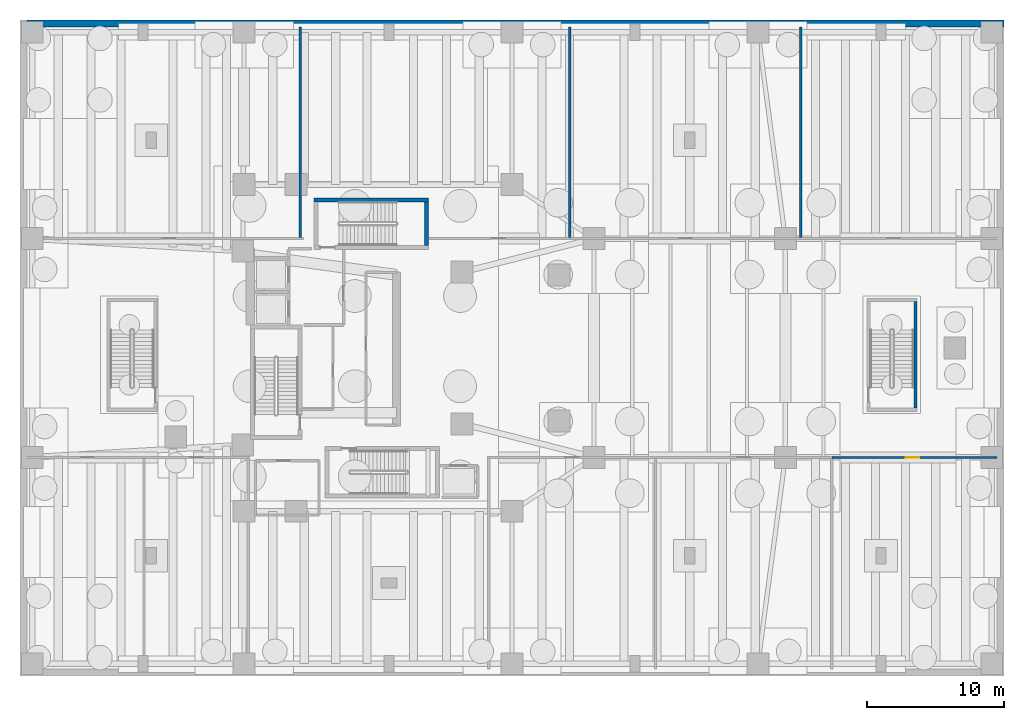
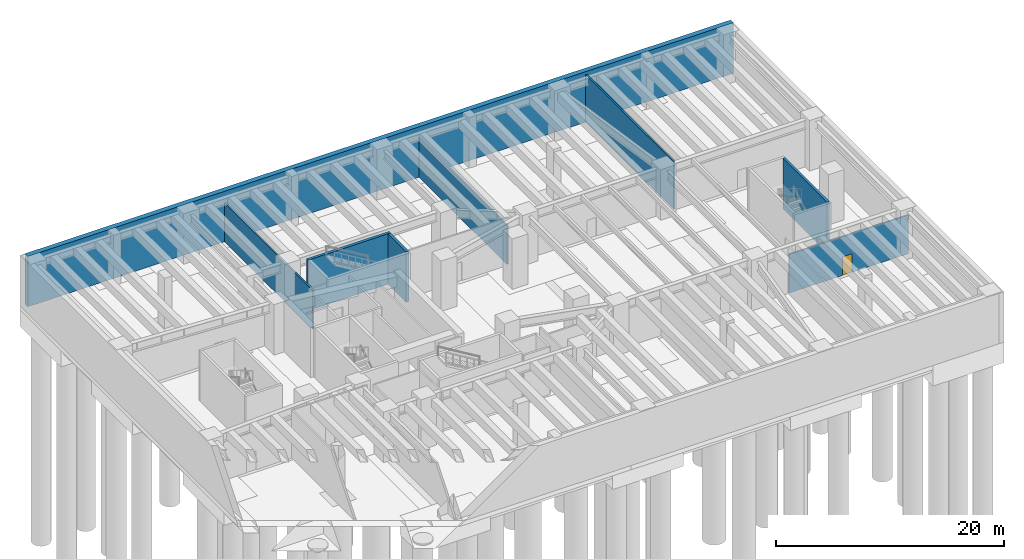
# One storey, part 6 of 10: 8 walls, 1 door, 1 opening.
"""IFC4 building model written with IfcOpenShell, lengths in metres."""

from ifc_helpers import new_model, si_unit, direction, frame, frame_2d, origin, place, context, subcontext, project, spatial, rectangle, extrude, material, layer, layer_set, type_object, element, fill, save


model = new_model("IFC4")

# Units and contexts
model_context = context("Model", 3, precision=1e-05, world=origin(), true_north=direction((0.0, 1.0)))
body_context = subcontext(model_context, "Body", "Model", "MODEL_VIEW")
ifc_project = project(units=[si_unit("LENGTHUNIT", "METRE"), si_unit("AREAUNIT", "SQUARE_METRE"), si_unit("VOLUMEUNIT", "CUBIC_METRE"), si_unit("PLANEANGLEUNIT", "RADIAN"), si_unit("MASSUNIT", "GRAM", prefix="KILO"), si_unit("THERMODYNAMICTEMPERATUREUNIT", "KELVIN"), si_unit("POWERUNIT", "WATT")], contexts=[model_context])

# Site, building, storey
site_placement = place(None, origin())
site = spatial("IfcSite", under=ifc_project, at=site_placement, CompositionType="ELEMENT")
building_placement = place(site_placement, origin())
building = spatial("IfcBuilding", under=site, at=building_placement, Name="Skarre Station Tower", CompositionType="ELEMENT")
storey_placement = place(building_placement, frame((0.0, 0.0, -10.199951171875)))
storey = spatial("IfcBuildingStorey", under=building, at=storey_placement, Name="B02", CompositionType="ELEMENT", Elevation=-10.199951171875)

# Wall
ifc_material_1 = material(Name="Concrete C50/60", Category="concrete")
ifc_layer_1 = layer(ifc_material_1, 0.5, Name="Concrete C50/60")
ifc_layer_set_1 = layer_set([ifc_layer_1], Name="Concrete C50/60")
wall_type_1 = type_object("IfcWallType", Name="Basement Perimeter Retaining Wall 500", PredefinedType="USERDEFINED", material=ifc_layer_set_1)
wall_1_placement = place(storey_placement, frame((0.5, 47.75, 0.0), z_axis=(0.0, 0.0, 1.0), x_axis=(1.0, 0.0, 0.0)))
element("IfcWall", 1, at=wall_1_placement, inside=storey, type_object=wall_type_1, Name="B02 Perimeter Retaining Wall N", ObjectType="RETAININGWALL", PredefinedType="USERDEFINED", context=body_context, shape_type="SweptSolid", body=[
    extrude(rectangle(XDim=71.5, YDim=0.5, at=frame_2d((35.75, 0.0))), origin(), (0.0, 0.0, 1.0), 5.39990234375),
])

# Wall, opening, door
ifc_material_2 = material(Name="Acoustic Steel-Stud Gypsum Partition", Category="steel")
ifc_layer_2 = layer(ifc_material_2, 0.14990234375, Name="Acoustic Steel-Stud Gypsum Partition")
ifc_layer_set_2 = layer_set([ifc_layer_2], Name="Acoustic Steel-Stud Gypsum Partition")
wall_type_2 = type_object("IfcWallType", Name="Fire-Rated Corridor Acoustic Partition 150", PredefinedType="PARTITIONING", material=ifc_layer_set_2)
wall_2_placement = place(storey_placement, frame((59.41796875, 15.97998046875, 0.0), z_axis=(0.0, 0.0, 1.0), x_axis=(1.0, 0.0, 0.0)))
wall_2 = element("IfcWall", 2, at=wall_2_placement, inside=storey, type_object=wall_type_2, Name="B02 Interior Partition WL-PT-B02-PDSE3-CW", PredefinedType="PARTITIONING", context=body_context, shape_type="SweptSolid", body=[
    extrude(rectangle(XDim=12.0869140625, YDim=0.14990234375, at=frame_2d((6.04345703125, 0.0))), origin(), (0.0, 0.0, 1.0), 4.141845703125),
])
opening_placement = place(wall_2_placement, frame((5.410888671875, 0.0, 0.0)))
opening = element("IfcOpeningElement", 3, at=opening_placement, cuts=wall_2, Name="Opening DR-FD60", PredefinedType="OPENING", context=body_context, shape_type="SweptSolid", body=[
    extrude(rectangle(XDim=0.9599609375, YDim=2.0, at=frame_2d((0.47998046875, 1.0))), frame((0.0, 0.0849609375, 0.0), z_axis=(0.0, -1.0, 0.0), x_axis=(1.0, 0.0, 0.0)), (0.0, 0.0, 1.0), 0.169921875),
])
ifc_material_3 = material(Name="Nordic White-Oak Veneer Solid-Core Fire Leaf", Category="wood")
door_type = type_object("IfcDoorType", Name="Corridor Suite Entry Fire Door FD60 960x2150", OperationType="SINGLE_SWING_LEFT", PredefinedType="DOOR", material=ifc_material_3)
door_placement = place(opening_placement, origin())
door = element("IfcDoor", 4, at=door_placement, inside=storey, type_object=door_type, Name="B02 PDSE3 Entry Door", OperationType="SINGLE_SWING_LEFT", OverallHeight=2.0, OverallWidth=0.9599609375, PredefinedType="DOOR", context=body_context, shape_type="SweptSolid", body=[
    extrude(rectangle(XDim=0.9599609375, YDim=2.0, at=frame_2d((0.47998046875, 1.0))), frame((0.0, 0.02490234375, 0.0), z_axis=(0.0, -1.0, 0.0), x_axis=(1.0, 0.0, 0.0)), (0.0, 0.0, 1.0), 0.050048828125),
])
fill(opening, door)

# Walls
ifc_layer_3 = layer(ifc_material_1, 0.239990234375, Name="Concrete C50/60")
ifc_layer_set_3 = layer_set([ifc_layer_3], Name="Concrete C50/60")
wall_type_3 = type_object("IfcWallType", Name="RC Core Shear Wall 240", PredefinedType="SHEAR", material=ifc_layer_set_3)
wall_3_placement = place(storey_placement, frame((65.52001953125, 19.60009765625, 0.0), z_axis=(0.0, 0.0, 1.0), x_axis=(0.0, 1.0, 0.0)))
element("IfcWall", 5, at=wall_3_placement, inside=storey, type_object=wall_type_3, Name="B02 Podium Stair ST-5 East Shear Wall", PredefinedType="SHEAR", context=body_context, shape_type="SweptSolid", body=[
    extrude(rectangle(XDim=7.7998046875, YDim=0.239990234375, at=frame_2d((3.89990234375, 0.0))), origin(), (0.0, 0.0, 1.0), 5.39990234375),
])
ifc_layer_4 = layer(ifc_material_1, 0.280029296875, Name="Concrete C50/60")
ifc_layer_set_4 = layer_set([ifc_layer_4], Name="Concrete C50/60")
wall_type_4 = type_object("IfcWallType", Name="RC Core Shear Wall 280", PredefinedType="SHEAR", material=ifc_layer_set_4)
wall_4_placement = place(storey_placement, frame((29.8798828125, 34.840087890625, 0.0), z_axis=(0.0, 0.0, 1.0), x_axis=(-1.0, 0.0, 0.0)))
element("IfcWall", 6, at=wall_4_placement, inside=storey, type_object=wall_type_4, Name="B02 Stair ST-3 North Shear Wall", PredefinedType="SHEAR", context=body_context, shape_type="SweptSolid", body=[
    extrude(rectangle(XDim=8.35986328125, YDim=0.280029296875, at=frame_2d((4.179931640625, 0.0))), origin(), (0.0, 0.0, 1.0), 5.39990234375),
])
wall_5_placement = place(storey_placement, frame((29.739990234375, 31.5, 0.0), z_axis=(0.0, 0.0, 1.0), x_axis=(0.0, 1.0, 0.0)))
element("IfcWall", 7, at=wall_5_placement, inside=storey, type_object=wall_type_4, Name="B02 Stair ST-3 East Shear Wall", PredefinedType="SHEAR", context=body_context, shape_type="SweptSolid", body=[
    extrude(rectangle(XDim=3.199951171875, YDim=0.280029296875, at=frame_2d((1.60009765625, 0.0))), origin(), (0.0, 0.0, 1.0), 5.39990234375),
])
ifc_layer_5 = layer(ifc_material_2, 0.1650390625, Name="Acoustic Steel-Stud Gypsum Partition")
ifc_layer_set_5 = layer_set([ifc_layer_5], Name="Acoustic Steel-Stud Gypsum Partition")
wall_type_5 = type_object("IfcWallType", Name="Suite Demising Acoustic Partition 165", PredefinedType="PARTITIONING", material=ifc_layer_set_5)
for number, where, z_axis, x_axis, name in (
    (8, (20.511962890625, 32.090087890625, 0.0), (0.0, 0.0, 1.0), (0.0, 1.0, 0.0), "B02 Interior Partition WL-PT-B02-PDN-P1"),
    (9, (40.22412109375, 32.090087890625, 0.0), (0.0, 0.0, 1.0), (0.0, 1.0, 0.0), "B02 Interior Partition WL-PT-B02-PDN-P2"),
):
    element("IfcWall", number, at=place(storey_placement, frame(where, z_axis=z_axis, x_axis=x_axis)), inside=storey, type_object=wall_type_5, Name=name, PredefinedType="PARTITIONING", context=body_context, shape_type="SweptSolid", body=[
        extrude(rectangle(XDim=15.414794921875, YDim=0.1650390625, at=frame_2d((7.70751953125, 0.0))), origin(), (0.0, 0.0, 1.0), 4.18994140625),
    ])
wall_6_placement = place(storey_placement, frame((57.1201171875, 32.090087890625, 0.0), z_axis=(0.0, 0.0, 1.0), x_axis=(0.0, 1.0, 0.0)))
element("IfcWall", 10, at=wall_6_placement, inside=storey, type_object=wall_type_5, Name="B02 Interior Partition WL-PT-B02-PDN-P3", PredefinedType="PARTITIONING", context=body_context, shape_type="SweptSolid", body=[
    extrude(rectangle(XDim=15.414794921875, YDim=0.1650390625, at=frame_2d((7.70751953125, 0.0))), origin(), (0.0, 0.0, 1.0), 5.08984375),
])

save(model, "model.ifc")
